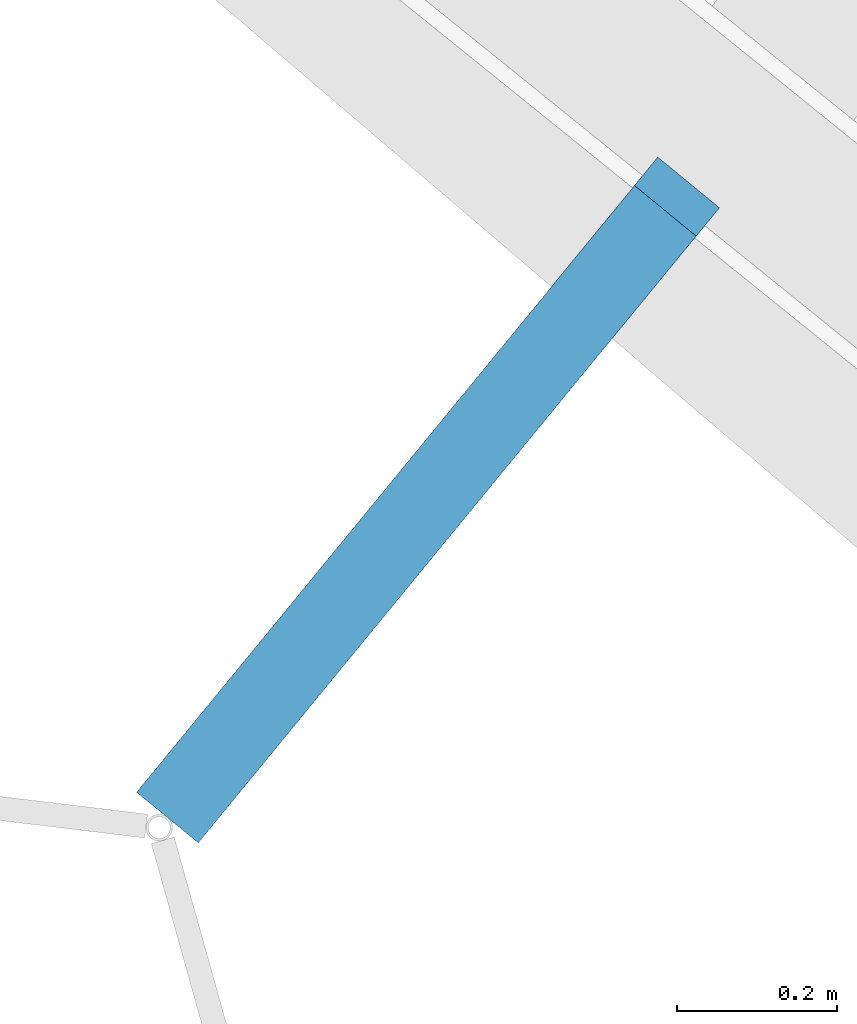
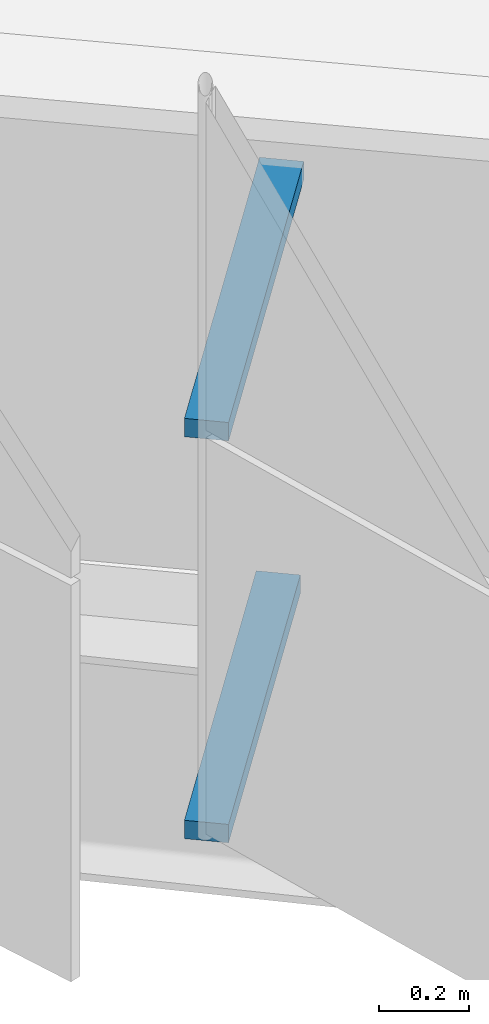
# One storey, part 267 of 483: 2 discrete accessories.
"""IFC4 building model written with IfcOpenShell, lengths in metres."""

import ifcopenshell
import ifcopenshell.guid

model = None  # the IFC model being written
_history = None  # IfcOwnerHistory: only IFC2X3 demands one
_inside = {}  # id of a spatial element -> (the spatial element, [elements in it])
_under = {}  # id of a project, library or spatial element -> (it, [spatial elements below it])
_declared = {}  # id of a project -> (the project, [libraries it declares])
_typed = {}  # id of a type object -> (the type object, [elements of that type])
_made_of = {}  # id of a material, layer set ... -> (it, [elements and type objects made of it])


def new_model(schema):
    """Start an empty IFC model of exactly this schema.

    Asked for "IFC4X3", IfcOpenShell would pick the latest addendum, in which some entities
    have other attributes; the version numbers below select the first issue.
    IFC2X3 requires an IfcOwnerHistory on every rooted entity: one is made here for all.
    """
    global model, _history
    if schema == "IFC4X3":
        model = ifcopenshell.file(schema_version=(4, 3, 0, 0))
    else:
        model = ifcopenshell.file(schema=schema)
    _inside.clear()
    _under.clear()
    _declared.clear()
    _typed.clear()
    _made_of.clear()
    _history = None
    if model.schema == "IFC2X3":
        org = make("IfcOrganization", Name="unknown")
        user = make(
            "IfcPersonAndOrganization",
            ThePerson=make("IfcPerson", FamilyName="unknown"),
            TheOrganization=org,
        )
        app = make(
            "IfcApplication",
            ApplicationDeveloper=org,
            Version="unknown",
            ApplicationFullName="unknown",
            ApplicationIdentifier="unknown",
        )
        _history = make(
            "IfcOwnerHistory",
            OwningUser=user,
            OwningApplication=app,
            ChangeAction="ADDED",
            CreationDate=0,
        )
    return model


def make(cls, **values):
    """One entity of the class cls with the attributes given. An attribute that is None is left unset."""
    return model.create_entity(
        cls, **{name: value for name, value in values.items() if value is not None}
    )


def rooted(cls, **values):
    """An entity with a GlobalId (a new one), such as an element, a storey or a relation."""
    return make(cls, GlobalId=ifcopenshell.guid.new(), OwnerHistory=_history, **values)


def si_unit(unit_type, name, prefix=None):
    """IfcSIUnit, for example si_unit("LENGTHUNIT", "METRE", prefix="MILLI")."""
    return make("IfcSIUnit", UnitType=unit_type, Prefix=prefix, Name=name)


def assignment(units):
    """IfcUnitAssignment: the units of a project."""
    return None if units is None else make("IfcUnitAssignment", Units=units)


def point(xyz):
    """IfcCartesianPoint."""
    return None if xyz is None else make("IfcCartesianPoint", Coordinates=xyz)


def direction(xyz):
    """IfcDirection."""
    return None if xyz is None else make("IfcDirection", DirectionRatios=xyz)


def frame(location, z_axis=None, x_axis=None):
    """IfcAxis2Placement3D, a coordinate frame: its origin and axes. An axis left out is left unset."""
    return make(
        "IfcAxis2Placement3D",
        Location=point(location),
        Axis=direction(z_axis),
        RefDirection=direction(x_axis),
    )


def frame_2d(location, x_axis=None):
    """IfcAxis2Placement2D, a coordinate frame in the plane: its origin and x axis."""
    return make(
        "IfcAxis2Placement2D", Location=point(location), RefDirection=direction(x_axis)
    )


def origin():
    """The frame at (0, 0, 0) with its axes left unset."""
    return frame((0.0, 0.0, 0.0))


def origin_2d():
    """The frame at (0, 0) in the plane with its x axis left unset."""
    return frame_2d((0.0, 0.0))


def place(relative_to, where):
    """IfcLocalPlacement: puts the frame where relative to a parent placement (None: the world)."""
    return make(
        "IfcLocalPlacement", PlacementRelTo=relative_to, RelativePlacement=where
    )


def context(
    kind, dimensions, precision=None, world=None, true_north=None, identifier=None
):
    """IfcGeometricRepresentationContext, for example the 3D "Model" context."""
    return make(
        "IfcGeometricRepresentationContext",
        ContextIdentifier=identifier,
        ContextType=kind,
        CoordinateSpaceDimension=dimensions,
        Precision=precision,
        WorldCoordinateSystem=world,
        TrueNorth=true_north,
    )


def subcontext(parent, identifier, kind, view, scale=None):
    """IfcGeometricRepresentationSubContext, for example "Body" below "Model"."""
    return make(
        "IfcGeometricRepresentationSubContext",
        ContextIdentifier=identifier,
        ContextType=kind,
        ParentContext=parent,
        TargetScale=scale,
        TargetView=view,
    )


def project(units=None, contexts=None):
    """IfcProject with its units and contexts."""
    return rooted(
        "IfcProject",
        Name="project",
        RepresentationContexts=contexts,
        UnitsInContext=assignment(units),
    )


def spatial(cls, under=None, at=None, **own):
    """A site, building, storey or space (cls), placed at a placement, below another one or the project."""
    s = rooted(cls, ObjectPlacement=at, **own)
    if under is not None:
        _under.setdefault(under.id(), (under, []))[1].append(s)
    return s


def profile(cls, at=None, kind="AREA", **sizes):
    """A parametric profile (cls). Its sizes go by their IFC names, for example OverallWidth=200.0."""
    return make(cls, ProfileType=kind, Position=at, **sizes)


def rectangle(**sizes):
    """IfcRectangleProfileDef."""
    return profile("IfcRectangleProfileDef", **sizes)


def extrude(swept, where, along, depth):
    """IfcExtrudedAreaSolid: the profile swept, set in the frame where, extruded along a direction by depth."""
    return make(
        "IfcExtrudedAreaSolid",
        SweptArea=swept,
        Position=where,
        ExtrudedDirection=direction(along),
        Depth=depth,
    )


def shape(context_of_items, identifier, shape_type, items):
    """IfcShapeRepresentation: the items that make up one representation, for example the "Body"."""
    return make(
        "IfcShapeRepresentation",
        ContextOfItems=context_of_items,
        RepresentationIdentifier=identifier,
        RepresentationType=shape_type,
        Items=items,
    )


def material(Name=None, Category=None):
    """IfcMaterial."""
    return make("IfcMaterial", Name=Name, Category=Category)


def made_of(thing, what):
    """Note that an element or type object is made of a material, layer set ...; save() writes the relation."""
    if what is not None:
        _made_of.setdefault(what.id(), (what, []))[1].append(thing)
    return thing


def type_object(cls, material=None, **own):
    """A type object (cls), such as IfcWallType, which elements share."""
    return made_of(rooted(cls, **own), material)


def element(
    cls,
    number,
    at=None,
    inside=None,
    cuts=None,
    type_object=None,
    material=None,
    context=None,
    identifier="Body",
    shape_type=None,
    held_by="IfcProductDefinitionShape",
    body=None,
    shapes=None,
    **own,
):
    """One element of the class cls, such as IfcWall. Its Tag is "e" and its number.

    at: its placement. inside: the storey or other place that contains it. cuts: it is an
    opening in that element (IfcRelVoidsElement). A single representation is given by context,
    identifier, shape_type and body (its items); several are given by shapes. held_by: the class
    of the entity that holds the representations. save() writes the other relations.
    """
    e = rooted(cls, Tag="e%d" % number, ObjectPlacement=at, **own)
    if body is not None:
        shapes = [shape(context, identifier, shape_type, body)]
    if shapes is not None:
        e.Representation = make(held_by, Representations=shapes)
    if inside is not None:
        _inside.setdefault(inside.id(), (inside, []))[1].append(e)
    if cuts is not None:
        rooted(
            "IfcRelVoidsElement", RelatingBuildingElement=cuts, RelatedOpeningElement=e
        )
    if type_object is not None:
        _typed.setdefault(type_object.id(), (type_object, []))[1].append(e)
    return made_of(e, material)


def aggregate(whole, parts):
    """IfcRelAggregates: a whole, such as a stair, and the parts it consists of."""
    return rooted("IfcRelAggregates", RelatingObject=whole, RelatedObjects=parts)


def save(model, path):
    """Write the relations noted so far, then the file.

    IfcRelAggregates (storeys below a building ...), IfcRelContainedInSpatialStructure (elements
    in a storey), IfcRelDefinesByType, IfcRelAssociatesMaterial and IfcRelDeclares: one each for
    every whole, place, type object, material and project.
    """
    for whole, parts in _under.values():
        aggregate(whole, parts)
    for where, things in _inside.values():
        rooted(
            "IfcRelContainedInSpatialStructure",
            RelatedElements=things,
            RelatingStructure=where,
        )
    for kind, things in _typed.values():
        rooted("IfcRelDefinesByType", RelatedObjects=things, RelatingType=kind)
    for what, things in _made_of.values():
        rooted("IfcRelAssociatesMaterial", RelatedObjects=things, RelatingMaterial=what)
    for by, libraries in _declared.values():
        rooted("IfcRelDeclares", RelatingContext=by, RelatedDefinitions=libraries)
    model.write(path)


model = new_model("IFC4")

# Units and contexts
model_context = context("Model", 3, precision=1e-05, world=origin(), true_north=direction((0.0, 1.0)))
body_context = subcontext(model_context, "Body", "Model", "MODEL_VIEW")
ifc_project = project(units=[si_unit("LENGTHUNIT", "METRE"), si_unit("AREAUNIT", "SQUARE_METRE"), si_unit("VOLUMEUNIT", "CUBIC_METRE"), si_unit("PLANEANGLEUNIT", "RADIAN"), si_unit("MASSUNIT", "GRAM", prefix="KILO")], contexts=[model_context])

# Site, building, storey
site_placement = place(None, origin())
site = spatial("IfcSite", under=ifc_project, at=site_placement, CompositionType="ELEMENT")
building_placement = place(site_placement, origin())
building = spatial("IfcBuilding", under=site, at=building_placement, Name="Parallax Yard Mobility Hub", CompositionType="ELEMENT")
storey_placement = place(building_placement, frame((0.0, 0.0, 13.199951171875)))
storey = spatial("IfcBuildingStorey", under=building, at=storey_placement, Name="L04", CompositionType="ELEMENT", Elevation=13.199951171875)

# Discrete accessories
ifc_material = material(Name="Steel ASTM A36, hot-dip galvanised", Category="steel")
discrete_accessory_type = type_object("IfcDiscreteAccessoryType", Name="Hinge bracket plate 100x50", PredefinedType="BRACKET", material=ifc_material)
discrete_accessory_1_placement = place(storey_placement, frame((186.34228515625, 107.095458984375, -0.02490234375), z_axis=(0.0, 0.0, 1.0), x_axis=(-0.634393284164, -0.773010453363, 0.0)))
element("IfcDiscreteAccessory", 1, at=discrete_accessory_1_placement, inside=storey, type_object=discrete_accessory_type, Name="Hinge bracket plate bay 20.2 level L04", PredefinedType="BRACKET", context=body_context, shape_type="SweptSolid", body=[
    extrude(rectangle(XDim=0.984130859375, YDim=0.10009765625, at=origin_2d()), origin(), (0.0, 0.0, 1.0), 0.050048828125),
])
discrete_accessory_2_placement = place(storey_placement, frame((186.35693359375, 107.11328125, 1.06982421875), z_axis=(0.0, 0.0, 1.0), x_axis=(-0.634393284164, -0.773010453363, 0.0)))
element("IfcDiscreteAccessory", 2, at=discrete_accessory_2_placement, inside=storey, type_object=discrete_accessory_type, Name="Hinge bracket plate bay 20.2 level L04", PredefinedType="BRACKET", context=body_context, shape_type="SweptSolid", body=[
    extrude(rectangle(XDim=1.030029296875, YDim=0.10009765625, at=origin_2d()), origin(), (0.0, 0.0, 1.0), 0.050048828125),
])

save(model, "model.ifc")
